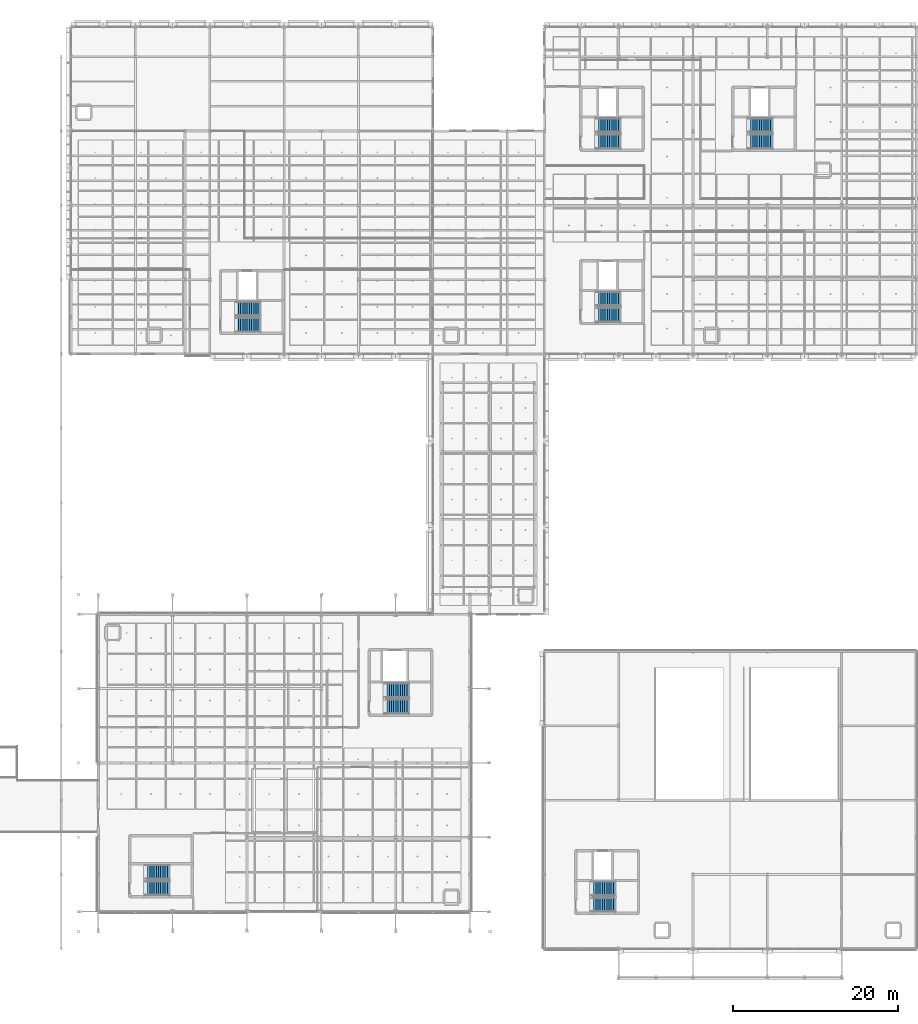
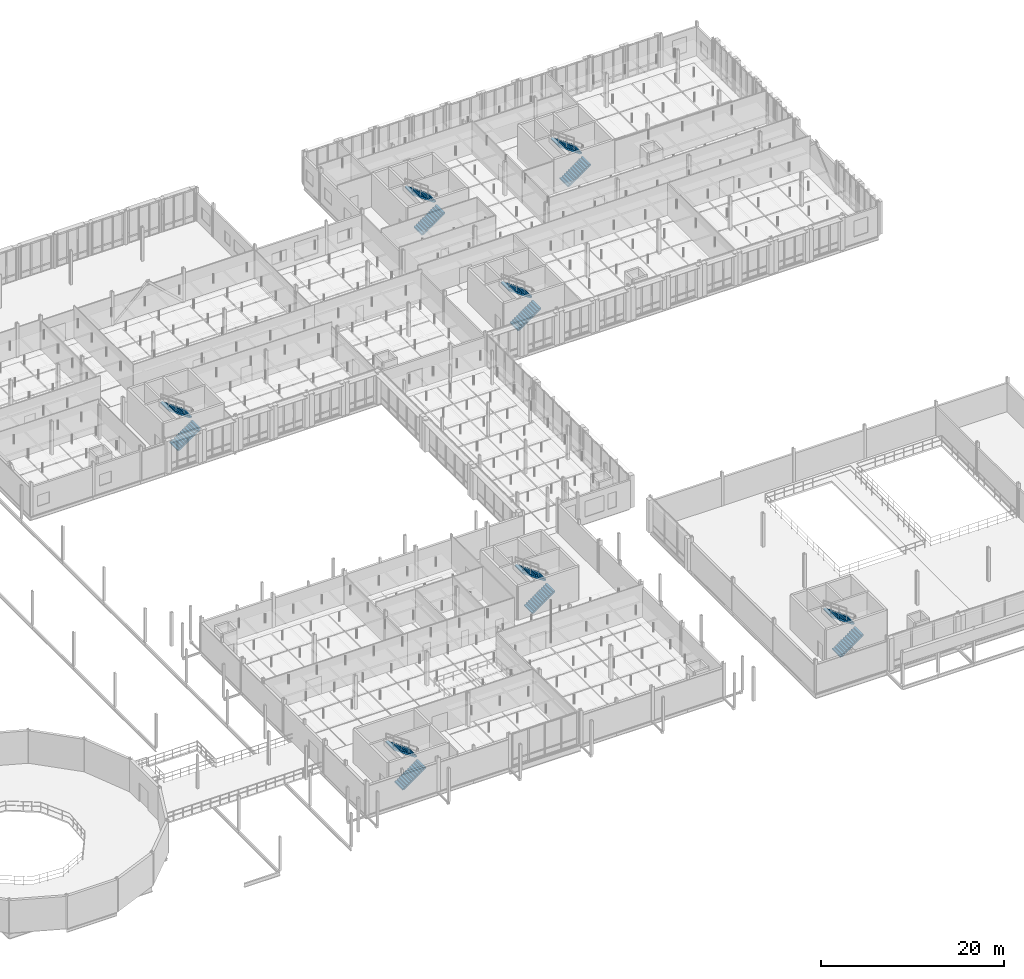
# One storey, part 76 of 130: 14 stair flights, 7 elements without a shape of their own.
"""IFC4 building model written with IfcOpenShell, lengths in metres."""

from ifc_helpers import new_model, si_unit, direction, frame, origin, place, context, subcontext, project, spatial, polyline, outline, extrude, material, type_object, element, aggregate, save


model = new_model("IFC4")

# Units and contexts
model_context = context("Model", 3, precision=1e-05, world=origin(), true_north=direction((0.0, 1.0)))
body_context = subcontext(model_context, "Body", "Model", "MODEL_VIEW")
ifc_project = project(units=[si_unit("LENGTHUNIT", "METRE"), si_unit("AREAUNIT", "SQUARE_METRE"), si_unit("VOLUMEUNIT", "CUBIC_METRE"), si_unit("PLANEANGLEUNIT", "RADIAN"), si_unit("MASSUNIT", "GRAM", prefix="KILO"), si_unit("THERMODYNAMICTEMPERATUREUNIT", "KELVIN"), si_unit("POWERUNIT", "WATT")], contexts=[model_context])

# Site, building, storey
site_placement = place(None, origin())
site = spatial("IfcSite", under=ifc_project, at=site_placement, CompositionType="ELEMENT")
building_placement = place(site_placement, origin())
building = spatial("IfcBuilding", under=site, at=building_placement, Name="Tallowbark Science Centre", CompositionType="ELEMENT")
storey_placement = place(building_placement, frame((0.0, 0.0, 5.39990234375)))
storey = spatial("IfcBuildingStorey", under=building, at=storey_placement, Name="L01", CompositionType="ELEMENT", Elevation=5.39990234375)

# Stair, stair flights
ifc_material = material(Name="Concrete Grade N40 (40 MPa)", Category="concrete")
stair_type_1 = type_object("IfcStairType", Name="STR-C1", PredefinedType="HALF_TURN_STAIR", material=ifc_material)
stair_1_placement = place(storey_placement, origin())
stair_1 = element("IfcStair", 1, at=stair_1_placement, inside=storey, type_object=stair_type_1, Name="L01 Fire Stair ST-01", PredefinedType="HALF_TURN_STAIR")
stair_flight_type_1 = type_object("IfcStairFlightType", Name="SFL-C1", PredefinedType="STRAIGHT", material=ifc_material)
stair_flight_1_placement = place(storey_placement, frame((75.2099609375, 75.530029296875, 0.0), z_axis=(0.0, 0.0, 1.0), x_axis=(1.0, 0.0, 0.0)))
stair_flight_1 = element("IfcStairFlight", 2, at=stair_flight_1_placement, type_object=stair_flight_type_1, Name="ST-01 flight 1", NumberOfRisers=12, NumberOfTreads=11, PredefinedType="STRAIGHT", RiserHeight=0.1875, TreadLength=0.265, context=body_context, shape_type="SweptSolid", body=[
    extrude(outline(polyline([(0.0, 0.0), (0.0, 0.1875), (0.264892578125, 0.1875), (0.264892578125, 0.375), (0.530029296875, 0.375), (0.530029296875, 0.5625), (0.794921875, 0.5625), (0.794921875, 0.75), (1.06005859375, 0.75), (1.06005859375, 0.9375), (1.324951171875, 0.9375), (1.324951171875, 1.125), (1.590087890625, 1.125), (1.590087890625, 1.3125), (1.85498046875, 1.3125), (1.85498046875, 1.5), (2.1201171875, 1.5), (2.1201171875, 1.6875), (2.385009765625, 1.6875), (2.385009765625, 1.875), (2.64990234375, 1.875), (2.64990234375, 2.0625), (2.9150390625, 2.0625), (2.9150390625, 2.25), (2.9150390625, 1.87890625), (0.259521484375, 0.0), (0.0, 0.0)])), frame((0.0, 0.8798828125, 0.0), z_axis=(0.0, -1.0, 0.0), x_axis=(1.0, 0.0, 0.0)), (0.0, 0.0, 1.0), 1.760009765625),
])
stair_flight_2_placement = place(storey_placement, frame((78.125, 77.489990234375, 2.25), z_axis=(0.0, 0.0, 1.0), x_axis=(-1.0, 0.0, 0.0)))
stair_flight_2 = element("IfcStairFlight", 3, at=stair_flight_2_placement, type_object=stair_flight_type_1, Name="ST-01 flight 2", NumberOfRisers=12, NumberOfTreads=11, PredefinedType="STRAIGHT", RiserHeight=0.1875, TreadLength=0.265, context=body_context, shape_type="SweptSolid", body=[
    extrude(outline(polyline([(0.0, 0.0), (0.0, 0.1875), (0.264892578125, 0.1875), (0.264892578125, 0.375), (0.530029296875, 0.375), (0.530029296875, 0.5625), (0.794921875, 0.5625), (0.794921875, 0.75), (1.06005859375, 0.75), (1.06005859375, 0.9375), (1.324951171875, 0.9375), (1.324951171875, 1.125), (1.590087890625, 1.125), (1.590087890625, 1.3125), (1.85498046875, 1.3125), (1.85498046875, 1.5), (2.1201171875, 1.5), (2.1201171875, 1.6875), (2.385009765625, 1.6875), (2.385009765625, 1.875), (2.64990234375, 1.875), (2.64990234375, 2.0625), (2.9150390625, 2.0625), (2.9150390625, 2.25), (2.9150390625, 1.87890625), (0.259521484375, 0.0), (0.0, 0.0)])), frame((0.0, 0.8798828125, 0.0), z_axis=(0.0, -1.0, 0.0), x_axis=(1.0, 0.0, 0.0)), (0.0, 0.0, 1.0), 1.760009765625),
])
aggregate(stair_1, [stair_flight_1, stair_flight_2])

stair_type_2 = type_object("IfcStairType", Name="STR-C2", PredefinedType="HALF_TURN_STAIR", material=ifc_material)
stair_2_placement = place(storey_placement, origin())
stair_2 = element("IfcStair", 4, at=stair_2_placement, inside=storey, type_object=stair_type_2, Name="L01 Fire Stair ST-02", PredefinedType="HALF_TURN_STAIR")
stair_flight_type_2 = type_object("IfcStairFlightType", Name="SFL-C2", PredefinedType="STRAIGHT", material=ifc_material)
stair_flight_3_placement = place(storey_placement, frame((118.81005859375, 76.72998046875, 0.0), z_axis=(0.0, 0.0, 1.0), x_axis=(1.0, 0.0, 0.0)))
stair_flight_3 = element("IfcStairFlight", 5, at=stair_flight_3_placement, type_object=stair_flight_type_2, Name="ST-02 flight 1", NumberOfRisers=12, NumberOfTreads=11, PredefinedType="STRAIGHT", RiserHeight=0.1875, TreadLength=0.265, context=body_context, shape_type="SweptSolid", body=[
    extrude(outline(polyline([(0.0, 0.0), (0.0, 0.1875), (0.264892578125, 0.1875), (0.264892578125, 0.375), (0.530029296875, 0.375), (0.530029296875, 0.5625), (0.794921875, 0.5625), (0.794921875, 0.75), (1.06005859375, 0.75), (1.06005859375, 0.9375), (1.324951171875, 0.9375), (1.324951171875, 1.125), (1.590087890625, 1.125), (1.590087890625, 1.3125), (1.85498046875, 1.3125), (1.85498046875, 1.5), (2.1201171875, 1.5), (2.1201171875, 1.6875), (2.385009765625, 1.6875), (2.385009765625, 1.875), (2.64990234375, 1.875), (2.64990234375, 2.0625), (2.9150390625, 2.0625), (2.9150390625, 2.25), (2.9150390625, 1.87890625), (0.259521484375, 0.0), (0.0, 0.0)])), frame((0.0, 0.8798828125, 0.0), z_axis=(0.0, -1.0, 0.0), x_axis=(1.0, 0.0, 0.0)), (0.0, 0.0, 1.0), 1.760009765625),
])
stair_flight_4_placement = place(storey_placement, frame((121.72509765625, 78.68994140625, 2.25), z_axis=(0.0, 0.0, 1.0), x_axis=(-1.0, 0.0, 0.0)))
stair_flight_4 = element("IfcStairFlight", 6, at=stair_flight_4_placement, type_object=stair_flight_type_2, Name="ST-02 flight 2", NumberOfRisers=12, NumberOfTreads=11, PredefinedType="STRAIGHT", RiserHeight=0.1875, TreadLength=0.265, context=body_context, shape_type="SweptSolid", body=[
    extrude(outline(polyline([(0.0, 0.0), (0.0, 0.1875), (0.264892578125, 0.1875), (0.264892578125, 0.375), (0.530029296875, 0.375), (0.530029296875, 0.5625), (0.794921875, 0.5625), (0.794921875, 0.75), (1.06005859375, 0.75), (1.06005859375, 0.9375), (1.324951171875, 0.9375), (1.324951171875, 1.125), (1.590087890625, 1.125), (1.590087890625, 1.3125), (1.85498046875, 1.3125), (1.85498046875, 1.5), (2.1201171875, 1.5), (2.1201171875, 1.6875), (2.385009765625, 1.6875), (2.385009765625, 1.875), (2.64990234375, 1.875), (2.64990234375, 2.0625), (2.9150390625, 2.0625), (2.9150390625, 2.25), (2.9150390625, 1.87890625), (0.259521484375, 0.0), (0.0, 0.0)])), frame((0.0, 0.8798828125, 0.0), z_axis=(0.0, -1.0, 0.0), x_axis=(1.0, 0.0, 0.0)), (0.0, 0.0, 1.0), 1.760009765625),
])
aggregate(stair_2, [stair_flight_3, stair_flight_4])

stair_type_3 = type_object("IfcStairType", Name="STR-C3", PredefinedType="HALF_TURN_STAIR", material=ifc_material)
stair_3_placement = place(storey_placement, origin())
stair_3 = element("IfcStair", 7, at=stair_3_placement, inside=storey, type_object=stair_type_3, Name="L01 Fire Stair ST-03", PredefinedType="HALF_TURN_STAIR")
stair_flight_type_3 = type_object("IfcStairFlightType", Name="SFL-C3", PredefinedType="STRAIGHT", material=ifc_material)
stair_flight_5_placement = place(storey_placement, frame((93.2099609375, 29.330078125, 0.0), z_axis=(0.0, 0.0, 1.0), x_axis=(1.0, 0.0, 0.0)))
stair_flight_5 = element("IfcStairFlight", 8, at=stair_flight_5_placement, type_object=stair_flight_type_3, Name="ST-03 flight 1", NumberOfRisers=12, NumberOfTreads=11, PredefinedType="STRAIGHT", RiserHeight=0.1875, TreadLength=0.265, context=body_context, shape_type="SweptSolid", body=[
    extrude(outline(polyline([(0.0, 0.0), (0.0, 0.1875), (0.264892578125, 0.1875), (0.264892578125, 0.375), (0.530029296875, 0.375), (0.530029296875, 0.5625), (0.794921875, 0.5625), (0.794921875, 0.75), (1.06005859375, 0.75), (1.06005859375, 0.9375), (1.324951171875, 0.9375), (1.324951171875, 1.125), (1.590087890625, 1.125), (1.590087890625, 1.3125), (1.85498046875, 1.3125), (1.85498046875, 1.5), (2.1201171875, 1.5), (2.1201171875, 1.6875), (2.385009765625, 1.6875), (2.385009765625, 1.875), (2.64990234375, 1.875), (2.64990234375, 2.0625), (2.9150390625, 2.0625), (2.9150390625, 2.25), (2.9150390625, 1.87890625), (0.259521484375, 0.0), (0.0, 0.0)])), frame((0.0, 0.8798828125, 0.0), z_axis=(0.0, -1.0, 0.0), x_axis=(1.0, 0.0, 0.0)), (0.0, 0.0, 1.0), 1.760009765625),
])
stair_flight_6_placement = place(storey_placement, frame((96.125, 31.2900390625, 2.25), z_axis=(0.0, 0.0, 1.0), x_axis=(-1.0, 0.0, 0.0)))
stair_flight_6 = element("IfcStairFlight", 9, at=stair_flight_6_placement, type_object=stair_flight_type_3, Name="ST-03 flight 2", NumberOfRisers=12, NumberOfTreads=11, PredefinedType="STRAIGHT", RiserHeight=0.1875, TreadLength=0.265, context=body_context, shape_type="SweptSolid", body=[
    extrude(outline(polyline([(0.0, 0.0), (0.0, 0.1875), (0.264892578125, 0.1875), (0.264892578125, 0.375), (0.530029296875, 0.375), (0.530029296875, 0.5625), (0.794921875, 0.5625), (0.794921875, 0.75), (1.06005859375, 0.75), (1.06005859375, 0.9375), (1.324951171875, 0.9375), (1.324951171875, 1.125), (1.590087890625, 1.125), (1.590087890625, 1.3125), (1.85498046875, 1.3125), (1.85498046875, 1.5), (2.1201171875, 1.5), (2.1201171875, 1.6875), (2.385009765625, 1.6875), (2.385009765625, 1.875), (2.64990234375, 1.875), (2.64990234375, 2.0625), (2.9150390625, 2.0625), (2.9150390625, 2.25), (2.9150390625, 1.87890625), (0.259521484375, 0.0), (0.0, 0.0)])), frame((0.0, 0.8798828125, 0.0), z_axis=(0.0, -1.0, 0.0), x_axis=(1.0, 0.0, 0.0)), (0.0, 0.0, 1.0), 1.760009765625),
])
aggregate(stair_3, [stair_flight_5, stair_flight_6])

stair_type_4 = type_object("IfcStairType", Name="STR-C4", PredefinedType="HALF_TURN_STAIR", material=ifc_material)
stair_4_placement = place(storey_placement, origin())
stair_4 = element("IfcStair", 10, at=stair_4_placement, inside=storey, type_object=stair_type_4, Name="L01 Fire Stair ST-04", PredefinedType="HALF_TURN_STAIR")
stair_flight_type_4 = type_object("IfcStairFlightType", Name="SFL-C4", PredefinedType="STRAIGHT", material=ifc_material)
stair_flight_7_placement = place(storey_placement, frame((137.2099609375, 97.72998046875, 0.0), z_axis=(0.0, 0.0, 1.0), x_axis=(1.0, 0.0, 0.0)))
stair_flight_7 = element("IfcStairFlight", 11, at=stair_flight_7_placement, type_object=stair_flight_type_4, Name="ST-04 flight 1", NumberOfRisers=12, NumberOfTreads=11, PredefinedType="STRAIGHT", RiserHeight=0.1875, TreadLength=0.265, context=body_context, shape_type="SweptSolid", body=[
    extrude(outline(polyline([(0.0, 0.0), (0.0, 0.1875), (0.264892578125, 0.1875), (0.264892578125, 0.375), (0.530029296875, 0.375), (0.530029296875, 0.5625), (0.794921875, 0.5625), (0.794921875, 0.75), (1.06005859375, 0.75), (1.06005859375, 0.9375), (1.324951171875, 0.9375), (1.324951171875, 1.125), (1.590087890625, 1.125), (1.590087890625, 1.3125), (1.85498046875, 1.3125), (1.85498046875, 1.5), (2.1201171875, 1.5), (2.1201171875, 1.6875), (2.385009765625, 1.6875), (2.385009765625, 1.875), (2.64990234375, 1.875), (2.64990234375, 2.0625), (2.9150390625, 2.0625), (2.9150390625, 2.25), (2.9150390625, 1.87890625), (0.259521484375, 0.0), (0.0, 0.0)])), frame((0.0, 0.8798828125, 0.0), z_axis=(0.0, -1.0, 0.0), x_axis=(1.0, 0.0, 0.0)), (0.0, 0.0, 1.0), 1.760009765625),
])
stair_flight_8_placement = place(storey_placement, frame((140.125, 99.68994140625, 2.25), z_axis=(0.0, 0.0, 1.0), x_axis=(-1.0, 0.0, 0.0)))
stair_flight_8 = element("IfcStairFlight", 12, at=stair_flight_8_placement, type_object=stair_flight_type_4, Name="ST-04 flight 2", NumberOfRisers=12, NumberOfTreads=11, PredefinedType="STRAIGHT", RiserHeight=0.1875, TreadLength=0.265, context=body_context, shape_type="SweptSolid", body=[
    extrude(outline(polyline([(0.0, 0.0), (0.0, 0.1875), (0.264892578125, 0.1875), (0.264892578125, 0.375), (0.530029296875, 0.375), (0.530029296875, 0.5625), (0.794921875, 0.5625), (0.794921875, 0.75), (1.06005859375, 0.75), (1.06005859375, 0.9375), (1.324951171875, 0.9375), (1.324951171875, 1.125), (1.590087890625, 1.125), (1.590087890625, 1.3125), (1.85498046875, 1.3125), (1.85498046875, 1.5), (2.1201171875, 1.5), (2.1201171875, 1.6875), (2.385009765625, 1.6875), (2.385009765625, 1.875), (2.64990234375, 1.875), (2.64990234375, 2.0625), (2.9150390625, 2.0625), (2.9150390625, 2.25), (2.9150390625, 1.87890625), (0.259521484375, 0.0), (0.0, 0.0)])), frame((0.0, 0.8798828125, 0.0), z_axis=(0.0, -1.0, 0.0), x_axis=(1.0, 0.0, 0.0)), (0.0, 0.0, 1.0), 1.760009765625),
])
aggregate(stair_4, [stair_flight_7, stair_flight_8])

stair_type_5 = type_object("IfcStairType", Name="STR-C5", PredefinedType="HALF_TURN_STAIR", material=ifc_material)
stair_5_placement = place(storey_placement, origin())
stair_5 = element("IfcStair", 13, at=stair_5_placement, inside=storey, type_object=stair_type_5, Name="L01 Fire Stair ST-05", PredefinedType="HALF_TURN_STAIR")
stair_flight_type_5 = type_object("IfcStairFlightType", Name="SFL-C5", PredefinedType="STRAIGHT", material=ifc_material)
stair_flight_9_placement = place(storey_placement, frame((118.81005859375, 97.72998046875, 0.0), z_axis=(0.0, 0.0, 1.0), x_axis=(1.0, 0.0, 0.0)))
stair_flight_9 = element("IfcStairFlight", 14, at=stair_flight_9_placement, type_object=stair_flight_type_5, Name="ST-05 flight 1", NumberOfRisers=12, NumberOfTreads=11, PredefinedType="STRAIGHT", RiserHeight=0.1875, TreadLength=0.265, context=body_context, shape_type="SweptSolid", body=[
    extrude(outline(polyline([(0.0, 0.0), (0.0, 0.1875), (0.264892578125, 0.1875), (0.264892578125, 0.375), (0.530029296875, 0.375), (0.530029296875, 0.5625), (0.794921875, 0.5625), (0.794921875, 0.75), (1.06005859375, 0.75), (1.06005859375, 0.9375), (1.324951171875, 0.9375), (1.324951171875, 1.125), (1.590087890625, 1.125), (1.590087890625, 1.3125), (1.85498046875, 1.3125), (1.85498046875, 1.5), (2.1201171875, 1.5), (2.1201171875, 1.6875), (2.385009765625, 1.6875), (2.385009765625, 1.875), (2.64990234375, 1.875), (2.64990234375, 2.0625), (2.9150390625, 2.0625), (2.9150390625, 2.25), (2.9150390625, 1.87890625), (0.259521484375, 0.0), (0.0, 0.0)])), frame((0.0, 0.8798828125, 0.0), z_axis=(0.0, -1.0, 0.0), x_axis=(1.0, 0.0, 0.0)), (0.0, 0.0, 1.0), 1.760009765625),
])
stair_flight_10_placement = place(storey_placement, frame((121.72509765625, 99.68994140625, 2.25), z_axis=(0.0, 0.0, 1.0), x_axis=(-1.0, 0.0, 0.0)))
stair_flight_10 = element("IfcStairFlight", 15, at=stair_flight_10_placement, type_object=stair_flight_type_5, Name="ST-05 flight 2", NumberOfRisers=12, NumberOfTreads=11, PredefinedType="STRAIGHT", RiserHeight=0.1875, TreadLength=0.265, context=body_context, shape_type="SweptSolid", body=[
    extrude(outline(polyline([(0.0, 0.0), (0.0, 0.1875), (0.264892578125, 0.1875), (0.264892578125, 0.375), (0.530029296875, 0.375), (0.530029296875, 0.5625), (0.794921875, 0.5625), (0.794921875, 0.75), (1.06005859375, 0.75), (1.06005859375, 0.9375), (1.324951171875, 0.9375), (1.324951171875, 1.125), (1.590087890625, 1.125), (1.590087890625, 1.3125), (1.85498046875, 1.3125), (1.85498046875, 1.5), (2.1201171875, 1.5), (2.1201171875, 1.6875), (2.385009765625, 1.6875), (2.385009765625, 1.875), (2.64990234375, 1.875), (2.64990234375, 2.0625), (2.9150390625, 2.0625), (2.9150390625, 2.25), (2.9150390625, 1.87890625), (0.259521484375, 0.0), (0.0, 0.0)])), frame((0.0, 0.8798828125, 0.0), z_axis=(0.0, -1.0, 0.0), x_axis=(1.0, 0.0, 0.0)), (0.0, 0.0, 1.0), 1.760009765625),
])
aggregate(stair_5, [stair_flight_9, stair_flight_10])

stair_type_6 = type_object("IfcStairType", Name="STR-C6", PredefinedType="HALF_TURN_STAIR", material=ifc_material)
stair_6_placement = place(storey_placement, origin())
stair_6 = element("IfcStair", 16, at=stair_6_placement, inside=storey, type_object=stair_type_6, Name="L01 Fire Stair ST-06", PredefinedType="HALF_TURN_STAIR")
stair_flight_type_6 = type_object("IfcStairFlightType", Name="SFL-C6", PredefinedType="STRAIGHT", material=ifc_material)
stair_flight_11_placement = place(storey_placement, frame((118.2099609375, 5.330078125, 0.0), z_axis=(0.0, 0.0, 1.0), x_axis=(1.0, 0.0, 0.0)))
stair_flight_11 = element("IfcStairFlight", 17, at=stair_flight_11_placement, type_object=stair_flight_type_6, Name="ST-06 flight 1", NumberOfRisers=12, NumberOfTreads=11, PredefinedType="STRAIGHT", RiserHeight=0.1875, TreadLength=0.265, context=body_context, shape_type="SweptSolid", body=[
    extrude(outline(polyline([(0.0, 0.0), (0.0, 0.1875), (0.264892578125, 0.1875), (0.264892578125, 0.375), (0.530029296875, 0.375), (0.530029296875, 0.5625), (0.794921875, 0.5625), (0.794921875, 0.75), (1.06005859375, 0.75), (1.06005859375, 0.9375), (1.324951171875, 0.9375), (1.324951171875, 1.125), (1.590087890625, 1.125), (1.590087890625, 1.3125), (1.85498046875, 1.3125), (1.85498046875, 1.5), (2.1201171875, 1.5), (2.1201171875, 1.6875), (2.385009765625, 1.6875), (2.385009765625, 1.875), (2.64990234375, 1.875), (2.64990234375, 2.0625), (2.9150390625, 2.0625), (2.9150390625, 2.25), (2.9150390625, 1.87890625), (0.259521484375, 0.0), (0.0, 0.0)])), frame((0.0, 0.8798828125, 0.0), z_axis=(0.0, -1.0, 0.0), x_axis=(1.0, 0.0, 0.0)), (0.0, 0.0, 1.0), 1.760009765625),
])
stair_flight_12_placement = place(storey_placement, frame((121.125, 7.2900390625, 2.25), z_axis=(0.0, 0.0, 1.0), x_axis=(-1.0, 0.0, 0.0)))
stair_flight_12 = element("IfcStairFlight", 18, at=stair_flight_12_placement, type_object=stair_flight_type_6, Name="ST-06 flight 2", NumberOfRisers=12, NumberOfTreads=11, PredefinedType="STRAIGHT", RiserHeight=0.1875, TreadLength=0.265, context=body_context, shape_type="SweptSolid", body=[
    extrude(outline(polyline([(0.0, 0.0), (0.0, 0.1875), (0.264892578125, 0.1875), (0.264892578125, 0.375), (0.530029296875, 0.375), (0.530029296875, 0.5625), (0.794921875, 0.5625), (0.794921875, 0.75), (1.06005859375, 0.75), (1.06005859375, 0.9375), (1.324951171875, 0.9375), (1.324951171875, 1.125), (1.590087890625, 1.125), (1.590087890625, 1.3125), (1.85498046875, 1.3125), (1.85498046875, 1.5), (2.1201171875, 1.5), (2.1201171875, 1.6875), (2.385009765625, 1.6875), (2.385009765625, 1.875), (2.64990234375, 1.875), (2.64990234375, 2.0625), (2.9150390625, 2.0625), (2.9150390625, 2.25), (2.9150390625, 1.87890625), (0.259521484375, 0.0), (0.0, 0.0)])), frame((0.0, 0.8798828125, 0.0), z_axis=(0.0, -1.0, 0.0), x_axis=(1.0, 0.0, 0.0)), (0.0, 0.0, 1.0), 1.760009765625),
])
aggregate(stair_6, [stair_flight_11, stair_flight_12])

stair_type_7 = type_object("IfcStairType", Name="STR-C7", PredefinedType="HALF_TURN_STAIR", material=ifc_material)
stair_7_placement = place(storey_placement, origin())
stair_7 = element("IfcStair", 19, at=stair_7_placement, inside=storey, type_object=stair_type_7, Name="L01 Fire Stair ST-07", PredefinedType="HALF_TURN_STAIR")
stair_flight_type_7 = type_object("IfcStairFlightType", Name="SFL-C7", PredefinedType="STRAIGHT", material=ifc_material)
stair_flight_13_placement = place(storey_placement, frame((64.2099609375, 7.330078125, 0.0), z_axis=(0.0, 0.0, 1.0), x_axis=(1.0, 0.0, 0.0)))
stair_flight_13 = element("IfcStairFlight", 20, at=stair_flight_13_placement, type_object=stair_flight_type_7, Name="ST-07 flight 1", NumberOfRisers=12, NumberOfTreads=11, PredefinedType="STRAIGHT", RiserHeight=0.1875, TreadLength=0.265, context=body_context, shape_type="SweptSolid", body=[
    extrude(outline(polyline([(0.0, 0.0), (0.0, 0.1875), (0.264892578125, 0.1875), (0.264892578125, 0.375), (0.530029296875, 0.375), (0.530029296875, 0.5625), (0.794921875, 0.5625), (0.794921875, 0.75), (1.06005859375, 0.75), (1.06005859375, 0.9375), (1.324951171875, 0.9375), (1.324951171875, 1.125), (1.590087890625, 1.125), (1.590087890625, 1.3125), (1.85498046875, 1.3125), (1.85498046875, 1.5), (2.1201171875, 1.5), (2.1201171875, 1.6875), (2.385009765625, 1.6875), (2.385009765625, 1.875), (2.64990234375, 1.875), (2.64990234375, 2.0625), (2.9150390625, 2.0625), (2.9150390625, 2.25), (2.9150390625, 1.87890625), (0.259521484375, 0.0), (0.0, 0.0)])), frame((0.0, 0.8798828125, 0.0), z_axis=(0.0, -1.0, 0.0), x_axis=(1.0, 0.0, 0.0)), (0.0, 0.0, 1.0), 1.760009765625),
])
stair_flight_14_placement = place(storey_placement, frame((67.125, 9.2900390625, 2.25), z_axis=(0.0, 0.0, 1.0), x_axis=(-1.0, 0.0, 0.0)))
stair_flight_14 = element("IfcStairFlight", 21, at=stair_flight_14_placement, type_object=stair_flight_type_7, Name="ST-07 flight 2", NumberOfRisers=12, NumberOfTreads=11, PredefinedType="STRAIGHT", RiserHeight=0.1875, TreadLength=0.265, context=body_context, shape_type="SweptSolid", body=[
    extrude(outline(polyline([(0.0, 0.0), (0.0, 0.1875), (0.264892578125, 0.1875), (0.264892578125, 0.375), (0.530029296875, 0.375), (0.530029296875, 0.5625), (0.794921875, 0.5625), (0.794921875, 0.75), (1.06005859375, 0.75), (1.06005859375, 0.9375), (1.324951171875, 0.9375), (1.324951171875, 1.125), (1.590087890625, 1.125), (1.590087890625, 1.3125), (1.85498046875, 1.3125), (1.85498046875, 1.5), (2.1201171875, 1.5), (2.1201171875, 1.6875), (2.385009765625, 1.6875), (2.385009765625, 1.875), (2.64990234375, 1.875), (2.64990234375, 2.0625), (2.9150390625, 2.0625), (2.9150390625, 2.25), (2.9150390625, 1.87890625), (0.259521484375, 0.0), (0.0, 0.0)])), frame((0.0, 0.8798828125, 0.0), z_axis=(0.0, -1.0, 0.0), x_axis=(1.0, 0.0, 0.0)), (0.0, 0.0, 1.0), 1.760009765625),
])
aggregate(stair_7, [stair_flight_13, stair_flight_14])

save(model, "model.ifc")
